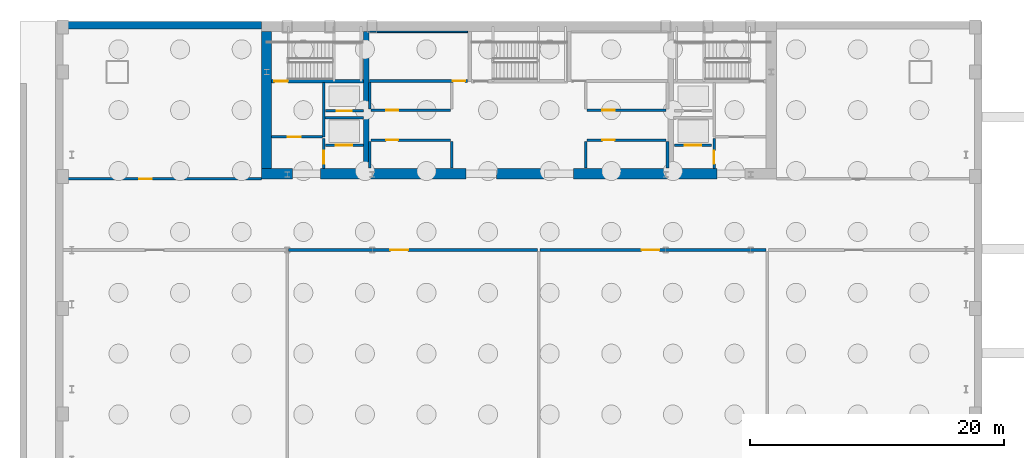
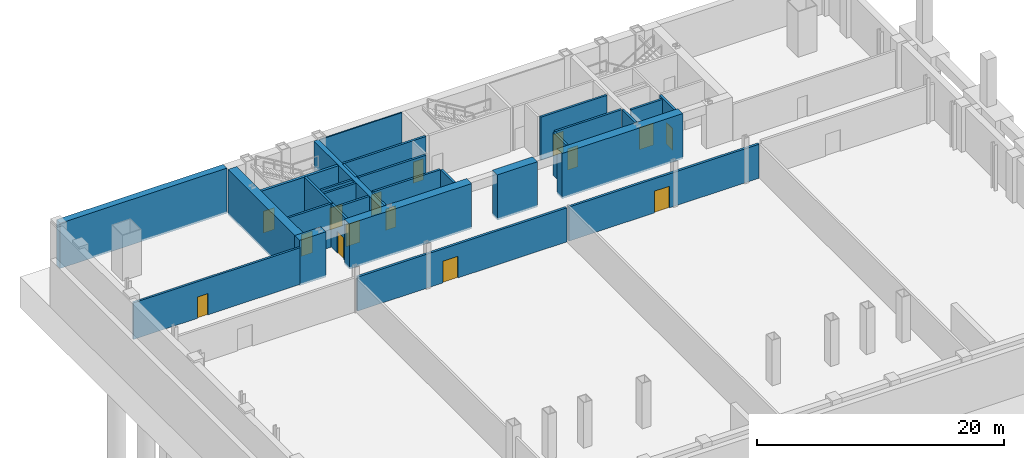
# One storey, part 8 of 11: 30 walls, 15 doors, 15 openings.
"""IFC4 building model written with IfcOpenShell, lengths in metres."""

import ifcopenshell
import ifcopenshell.guid

model = None  # the IFC model being written
_history = None  # IfcOwnerHistory: only IFC2X3 demands one
_inside = {}  # id of a spatial element -> (the spatial element, [elements in it])
_under = {}  # id of a project, library or spatial element -> (it, [spatial elements below it])
_declared = {}  # id of a project -> (the project, [libraries it declares])
_typed = {}  # id of a type object -> (the type object, [elements of that type])
_made_of = {}  # id of a material, layer set ... -> (it, [elements and type objects made of it])


def new_model(schema):
    """Start an empty IFC model of exactly this schema.

    Asked for "IFC4X3", IfcOpenShell would pick the latest addendum, in which some entities
    have other attributes; the version numbers below select the first issue.
    IFC2X3 requires an IfcOwnerHistory on every rooted entity: one is made here for all.
    """
    global model, _history
    if schema == "IFC4X3":
        model = ifcopenshell.file(schema_version=(4, 3, 0, 0))
    else:
        model = ifcopenshell.file(schema=schema)
    _inside.clear()
    _under.clear()
    _declared.clear()
    _typed.clear()
    _made_of.clear()
    _history = None
    if model.schema == "IFC2X3":
        org = make("IfcOrganization", Name="unknown")
        user = make(
            "IfcPersonAndOrganization",
            ThePerson=make("IfcPerson", FamilyName="unknown"),
            TheOrganization=org,
        )
        app = make(
            "IfcApplication",
            ApplicationDeveloper=org,
            Version="unknown",
            ApplicationFullName="unknown",
            ApplicationIdentifier="unknown",
        )
        _history = make(
            "IfcOwnerHistory",
            OwningUser=user,
            OwningApplication=app,
            ChangeAction="ADDED",
            CreationDate=0,
        )
    return model


def make(cls, **values):
    """One entity of the class cls with the attributes given. An attribute that is None is left unset."""
    return model.create_entity(
        cls, **{name: value for name, value in values.items() if value is not None}
    )


def rooted(cls, **values):
    """An entity with a GlobalId (a new one), such as an element, a storey or a relation."""
    return make(cls, GlobalId=ifcopenshell.guid.new(), OwnerHistory=_history, **values)


def si_unit(unit_type, name, prefix=None):
    """IfcSIUnit, for example si_unit("LENGTHUNIT", "METRE", prefix="MILLI")."""
    return make("IfcSIUnit", UnitType=unit_type, Prefix=prefix, Name=name)


def assignment(units):
    """IfcUnitAssignment: the units of a project."""
    return None if units is None else make("IfcUnitAssignment", Units=units)


def point(xyz):
    """IfcCartesianPoint."""
    return None if xyz is None else make("IfcCartesianPoint", Coordinates=xyz)


def direction(xyz):
    """IfcDirection."""
    return None if xyz is None else make("IfcDirection", DirectionRatios=xyz)


def frame(location, z_axis=None, x_axis=None):
    """IfcAxis2Placement3D, a coordinate frame: its origin and axes. An axis left out is left unset."""
    return make(
        "IfcAxis2Placement3D",
        Location=point(location),
        Axis=direction(z_axis),
        RefDirection=direction(x_axis),
    )


def frame_2d(location, x_axis=None):
    """IfcAxis2Placement2D, a coordinate frame in the plane: its origin and x axis."""
    return make(
        "IfcAxis2Placement2D", Location=point(location), RefDirection=direction(x_axis)
    )


def origin():
    """The frame at (0, 0, 0) with its axes left unset."""
    return frame((0.0, 0.0, 0.0))


def place(relative_to, where):
    """IfcLocalPlacement: puts the frame where relative to a parent placement (None: the world)."""
    return make(
        "IfcLocalPlacement", PlacementRelTo=relative_to, RelativePlacement=where
    )


def context(
    kind, dimensions, precision=None, world=None, true_north=None, identifier=None
):
    """IfcGeometricRepresentationContext, for example the 3D "Model" context."""
    return make(
        "IfcGeometricRepresentationContext",
        ContextIdentifier=identifier,
        ContextType=kind,
        CoordinateSpaceDimension=dimensions,
        Precision=precision,
        WorldCoordinateSystem=world,
        TrueNorth=true_north,
    )


def subcontext(parent, identifier, kind, view, scale=None):
    """IfcGeometricRepresentationSubContext, for example "Body" below "Model"."""
    return make(
        "IfcGeometricRepresentationSubContext",
        ContextIdentifier=identifier,
        ContextType=kind,
        ParentContext=parent,
        TargetScale=scale,
        TargetView=view,
    )


def project(units=None, contexts=None):
    """IfcProject with its units and contexts."""
    return rooted(
        "IfcProject",
        Name="project",
        RepresentationContexts=contexts,
        UnitsInContext=assignment(units),
    )


def spatial(cls, under=None, at=None, **own):
    """A site, building, storey or space (cls), placed at a placement, below another one or the project."""
    s = rooted(cls, ObjectPlacement=at, **own)
    if under is not None:
        _under.setdefault(under.id(), (under, []))[1].append(s)
    return s


def profile(cls, at=None, kind="AREA", **sizes):
    """A parametric profile (cls). Its sizes go by their IFC names, for example OverallWidth=200.0."""
    return make(cls, ProfileType=kind, Position=at, **sizes)


def rectangle(**sizes):
    """IfcRectangleProfileDef."""
    return profile("IfcRectangleProfileDef", **sizes)


def extrude(swept, where, along, depth):
    """IfcExtrudedAreaSolid: the profile swept, set in the frame where, extruded along a direction by depth."""
    return make(
        "IfcExtrudedAreaSolid",
        SweptArea=swept,
        Position=where,
        ExtrudedDirection=direction(along),
        Depth=depth,
    )


def shape(context_of_items, identifier, shape_type, items):
    """IfcShapeRepresentation: the items that make up one representation, for example the "Body"."""
    return make(
        "IfcShapeRepresentation",
        ContextOfItems=context_of_items,
        RepresentationIdentifier=identifier,
        RepresentationType=shape_type,
        Items=items,
    )


def material(Name=None, Category=None):
    """IfcMaterial."""
    return make("IfcMaterial", Name=Name, Category=Category)


def layer(
    of_material, thickness, ventilated=None, Name=None, Category=None, Priority=None
):
    """IfcMaterialLayer: one layer of a wall or slab, of a material (None: an air gap)."""
    return make(
        "IfcMaterialLayer",
        Material=of_material,
        LayerThickness=thickness,
        IsVentilated=ventilated,
        Name=Name,
        Category=Category,
        Priority=Priority,
    )


def layer_set(layers, Name=None):
    """IfcMaterialLayerSet."""
    return make("IfcMaterialLayerSet", MaterialLayers=layers, LayerSetName=Name)


def made_of(thing, what):
    """Note that an element or type object is made of a material, layer set ...; save() writes the relation."""
    if what is not None:
        _made_of.setdefault(what.id(), (what, []))[1].append(thing)
    return thing


def type_object(cls, material=None, **own):
    """A type object (cls), such as IfcWallType, which elements share."""
    return made_of(rooted(cls, **own), material)


def element(
    cls,
    number,
    at=None,
    inside=None,
    cuts=None,
    type_object=None,
    material=None,
    context=None,
    identifier="Body",
    shape_type=None,
    held_by="IfcProductDefinitionShape",
    body=None,
    shapes=None,
    **own,
):
    """One element of the class cls, such as IfcWall. Its Tag is "e" and its number.

    at: its placement. inside: the storey or other place that contains it. cuts: it is an
    opening in that element (IfcRelVoidsElement). A single representation is given by context,
    identifier, shape_type and body (its items); several are given by shapes. held_by: the class
    of the entity that holds the representations. save() writes the other relations.
    """
    e = rooted(cls, Tag="e%d" % number, ObjectPlacement=at, **own)
    if body is not None:
        shapes = [shape(context, identifier, shape_type, body)]
    if shapes is not None:
        e.Representation = make(held_by, Representations=shapes)
    if inside is not None:
        _inside.setdefault(inside.id(), (inside, []))[1].append(e)
    if cuts is not None:
        rooted(
            "IfcRelVoidsElement", RelatingBuildingElement=cuts, RelatedOpeningElement=e
        )
    if type_object is not None:
        _typed.setdefault(type_object.id(), (type_object, []))[1].append(e)
    return made_of(e, material)


def fill(opening, filler):
    """IfcRelFillsElement: the door or window that sits in an opening."""
    return rooted(
        "IfcRelFillsElement",
        RelatingOpeningElement=opening,
        RelatedBuildingElement=filler,
    )


def aggregate(whole, parts):
    """IfcRelAggregates: a whole, such as a stair, and the parts it consists of."""
    return rooted("IfcRelAggregates", RelatingObject=whole, RelatedObjects=parts)


def save(model, path):
    """Write the relations noted so far, then the file.

    IfcRelAggregates (storeys below a building ...), IfcRelContainedInSpatialStructure (elements
    in a storey), IfcRelDefinesByType, IfcRelAssociatesMaterial and IfcRelDeclares: one each for
    every whole, place, type object, material and project.
    """
    for whole, parts in _under.values():
        aggregate(whole, parts)
    for where, things in _inside.values():
        rooted(
            "IfcRelContainedInSpatialStructure",
            RelatedElements=things,
            RelatingStructure=where,
        )
    for kind, things in _typed.values():
        rooted("IfcRelDefinesByType", RelatedObjects=things, RelatingType=kind)
    for what, things in _made_of.values():
        rooted("IfcRelAssociatesMaterial", RelatedObjects=things, RelatingMaterial=what)
    for by, libraries in _declared.values():
        rooted("IfcRelDeclares", RelatingContext=by, RelatedDefinitions=libraries)
    model.write(path)


model = new_model("IFC4")

# Units and contexts
model_context = context("Model", 3, precision=1e-05, world=origin(), true_north=direction((0.0, 1.0)))
body_context = subcontext(model_context, "Body", "Model", "MODEL_VIEW")
ifc_project = project(units=[si_unit("LENGTHUNIT", "METRE"), si_unit("AREAUNIT", "SQUARE_METRE"), si_unit("VOLUMEUNIT", "CUBIC_METRE"), si_unit("PLANEANGLEUNIT", "RADIAN"), si_unit("MASSUNIT", "GRAM", prefix="KILO")], contexts=[model_context])

# Site, building, storey
site_placement = place(None, origin())
site = spatial("IfcSite", under=ifc_project, at=site_placement, CompositionType="ELEMENT")
building_placement = place(site_placement, origin())
building = spatial("IfcBuilding", under=site, at=building_placement, Name="Khoronbel Lancet Exchange", CompositionType="ELEMENT")
storey_placement = place(building_placement, frame((0.0, 0.0, -9.0)))
storey = spatial("IfcBuildingStorey", under=building, at=storey_placement, Name="B2", CompositionType="ELEMENT", Elevation=-9.0)

# Walls
ifc_material_1 = material(Name="Concrete C80/95", Category="concrete")
ifc_layer_1 = layer(ifc_material_1, 0.800048828125, Name="Concrete C80/95")
ifc_layer_set_1 = layer_set([ifc_layer_1], Name="Concrete C80/95")
wall_type_1 = type_object("IfcWallType", Name="WL-CW1", PredefinedType="SHEAR", material=ifc_layer_set_1)
wall_1_placement = place(storey_placement, frame((16.60009765625, 42.10009765625, -0.199951171875), z_axis=(0.0, 0.0, 1.0), x_axis=(0.0, 1.0, 0.0)))
element("IfcWall", 1, at=wall_1_placement, inside=storey, type_object=wall_type_1, Name="Level B2 rear core west shear wall", PredefinedType="SHEAR", context=body_context, shape_type="SweptSolid", body=[
    extrude(rectangle(XDim=10.7998046875, YDim=0.800048828125, at=frame_2d((5.39990234375, 0.0))), origin(), (0.0, 0.0, 1.0), 4.47998046875),
])
wall_2_placement = place(storey_placement, frame((18.64990234375, 41.699951171875, -0.199951171875), z_axis=(0.0, 0.0, 1.0), x_axis=(-1.0, 0.0, 0.0)))
element("IfcWall", 2, at=wall_2_placement, inside=storey, type_object=wall_type_1, Name="Level B2 rear core south shear wall pier P1", PredefinedType="SHEAR", context=body_context, shape_type="SweptSolid", body=[
    extrude(rectangle(XDim=2.449951171875, YDim=0.800048828125, at=frame_2d((1.22509765625, 0.0))), origin(), (0.0, 0.0, 1.0), 4.47998046875),
])
wall_3_placement = place(storey_placement, frame((32.300048828125, 41.699951171875, -0.199951171875), z_axis=(0.0, 0.0, 1.0), x_axis=(-1.0, 0.0, 0.0)))
element("IfcWall", 3, at=wall_3_placement, inside=storey, type_object=wall_type_1, Name="Level B2 rear core south shear wall pier P2", PredefinedType="SHEAR", context=body_context, shape_type="SweptSolid", body=[
    extrude(rectangle(XDim=11.449951171875, YDim=0.800048828125, at=frame_2d((5.72509765625, 0.0))), origin(), (0.0, 0.0, 1.0), 4.47998046875),
])
wall_4_placement = place(storey_placement, frame((38.449951171875, 41.699951171875, -0.199951171875), z_axis=(0.0, 0.0, 1.0), x_axis=(-1.0, 0.0, 0.0)))
element("IfcWall", 4, at=wall_4_placement, inside=storey, type_object=wall_type_1, Name="Level B2 rear core south shear wall pier P3", PredefinedType="SHEAR", context=body_context, shape_type="SweptSolid", body=[
    extrude(rectangle(XDim=3.75, YDim=0.800048828125, at=frame_2d((1.875, 0.0))), origin(), (0.0, 0.0, 1.0), 4.47998046875),
])
wall_5_placement = place(storey_placement, frame((52.050048828125, 41.699951171875, -0.199951171875), z_axis=(0.0, 0.0, 1.0), x_axis=(-1.0, 0.0, 0.0)))
element("IfcWall", 5, at=wall_5_placement, inside=storey, type_object=wall_type_1, Name="Level B2 rear core south shear wall pier P4", PredefinedType="SHEAR", context=body_context, shape_type="SweptSolid", body=[
    extrude(rectangle(XDim=11.300048828125, YDim=0.800048828125, at=frame_2d((5.64990234375, 0.0))), origin(), (0.0, 0.0, 1.0), 4.47998046875),
])
ifc_material_2 = material(Name="Fire-Rated Metal-Stud & Mineral-Wool Gypsum Partition 120 mm", Category="gypsum")
ifc_layer_2 = layer(ifc_material_2, 0.1201171875, Name="Fire-Rated Metal-Stud & Mineral-Wool Gypsum Partition 120 mm")
ifc_layer_set_2 = layer_set([ifc_layer_2], Name="Fire-Rated Metal-Stud & Mineral-Wool Gypsum Partition 120 mm")
wall_type_2 = type_object("IfcWallType", Name="WL-PRT120F", PredefinedType="PARTITIONING", material=ifc_layer_set_2)
wall_6_placement = place(storey_placement, frame((24.699951171875, 52.860107421875, 0.0), z_axis=(0.0, 0.0, 1.0), x_axis=(1.0, 0.0, 0.0)))
element("IfcWall", 6, at=wall_6_placement, inside=storey, type_object=wall_type_2, Name="Level B2 interior partition CW-SUP-NW-N", PredefinedType="PARTITIONING", context=body_context, shape_type="SweptSolid", body=[
    extrude(rectangle(XDim=7.719970703125, YDim=0.1201171875, at=frame_2d((3.85986328125, 0.0))), origin(), (0.0, 0.0, 1.0), 4.280029296875),
])

# Wall, opening, door
ifc_material_3 = material(Name="Autoclaved Aerated Concrete Blockwork 200 mm", Category="masonry")
ifc_layer_3 = layer(ifc_material_3, 0.199951171875, Name="Autoclaved Aerated Concrete Blockwork 200 mm")
ifc_layer_set_3 = layer_set([ifc_layer_3], Name="Autoclaved Aerated Concrete Blockwork 200 mm")
wall_type_3 = type_object("IfcWallType", Name="WL-PRT200", PredefinedType="PARTITIONING", material=ifc_layer_set_3)
wall_7_placement = place(storey_placement, frame((51.610107421875, 43.949951171875, 0.0), z_axis=(0.0, 0.0, 1.0), x_axis=(-1.0, 0.0, 0.0)))
wall_7 = element("IfcWall", 7, at=wall_7_placement, inside=storey, type_object=wall_type_3, Name="Level B2 elevator hoistway landing front wall SVLE", PredefinedType="PARTITIONING", context=body_context, shape_type="SweptSolid", body=[
    extrude(rectangle(XDim=2.920166015625, YDim=0.199951171875, at=frame_2d((1.4599609375, 0.0))), origin(), (0.0, 0.0, 1.0), 4.280029296875),
])
opening_1_placement = place(wall_7_placement, frame((0.81005859375, 0.0, 0.0)))
opening_1 = element("IfcOpeningElement", 8, at=opening_1_placement, cuts=wall_7, Name="Opening LD-SVL2", PredefinedType="OPENING", context=body_context, shape_type="SweptSolid", body=[
    extrude(rectangle(XDim=1.300048828125, YDim=2.179931640625, at=frame_2d((0.64990234375, 1.08984375))), frame((0.0, 0.10986328125, 0.0), z_axis=(0.0, -1.0, 0.0), x_axis=(1.0, 0.0, 0.0)), (0.0, 0.0, 1.0), 0.219970703125),
])
ifc_material_4 = material(Name="Heavy-Duty Bi-Parting Goods Lift Landing Door", Category="steel")
door_type_1 = type_object("IfcDoorType", Name="DR-LD-SVL", OperationType="NOTDEFINED", PredefinedType="DOOR", material=ifc_material_4)
door_1_placement = place(opening_1_placement, origin())
door_1 = element("IfcDoor", 9, at=door_1_placement, inside=storey, type_object=door_type_1, Name="Elevator landing sliding door LD-SVL2 B2", OperationType="SLIDING_TO_LEFT", OverallHeight=2.179931640625, OverallWidth=1.300048828125, PredefinedType="DOOR", context=body_context, shape_type="SweptSolid", body=[
    extrude(rectangle(XDim=1.300048828125, YDim=2.179931640625, at=frame_2d((0.64990234375, 1.08984375))), frame((0.0, 0.02490234375, 0.0), z_axis=(0.0, -1.0, 0.0), x_axis=(1.0, 0.0, 0.0)), (0.0, 0.0, 1.0), 0.050048828125),
])
fill(opening_1, door_1)

wall_8_placement = place(storey_placement, frame((24.2099609375, 43.949951171875, 0.0), z_axis=(0.0, 0.0, 1.0), x_axis=(-1.0, 0.0, 0.0)))
wall_8 = element("IfcWall", 10, at=wall_8_placement, inside=storey, type_object=wall_type_3, Name="Level B2 elevator hoistway landing front wall SVLW", PredefinedType="PARTITIONING", context=body_context, shape_type="SweptSolid", body=[
    extrude(rectangle(XDim=2.969970703125, YDim=0.199951171875, at=frame_2d((1.48486328125, 0.0))), origin(), (0.0, 0.0, 1.0), 4.280029296875),
])
opening_2_placement = place(wall_8_placement, frame((0.860107421875, 0.0, 0.0)))
opening_2 = element("IfcOpeningElement", 11, at=opening_2_placement, cuts=wall_8, Name="Opening LD-SVL1", PredefinedType="OPENING", context=body_context, shape_type="SweptSolid", body=[
    extrude(rectangle(XDim=1.300048828125, YDim=2.179931640625, at=frame_2d((0.64990234375, 1.08984375))), frame((0.0, 0.10986328125, 0.0), z_axis=(0.0, -1.0, 0.0), x_axis=(1.0, 0.0, 0.0)), (0.0, 0.0, 1.0), 0.219970703125),
])
door_2_placement = place(opening_2_placement, origin())
door_2 = element("IfcDoor", 12, at=door_2_placement, inside=storey, type_object=door_type_1, Name="Elevator landing sliding door LD-SVL1 B2", OperationType="SLIDING_TO_LEFT", OverallHeight=2.179931640625, OverallWidth=1.300048828125, PredefinedType="DOOR", context=body_context, shape_type="SweptSolid", body=[
    extrude(rectangle(XDim=1.300048828125, YDim=2.179931640625, at=frame_2d((0.64990234375, 1.08984375))), frame((0.0, 0.02490234375, 0.0), z_axis=(0.0, -1.0, 0.0), x_axis=(1.0, 0.0, 0.0)), (0.0, 0.0, 1.0), 0.050048828125),
])
fill(opening_2, door_2)

wall_9_placement = place(storey_placement, frame((24.2099609375, 46.64990234375, 0.0), z_axis=(0.0, 0.0, 1.0), x_axis=(-1.0, 0.0, 0.0)))
wall_9 = element("IfcWall", 13, at=wall_9_placement, inside=storey, type_object=wall_type_3, Name="Level B2 elevator hoistway landing front wall FFLW", PredefinedType="PARTITIONING", context=body_context, shape_type="SweptSolid", body=[
    extrude(rectangle(XDim=2.969970703125, YDim=0.199951171875, at=frame_2d((1.48486328125, 0.0))), origin(), (0.0, 0.0, 1.0), 4.280029296875),
])
opening_3_placement = place(wall_9_placement, frame((0.909912109375, 0.0, 0.0)))
opening_3 = element("IfcOpeningElement", 14, at=opening_3_placement, cuts=wall_9, Name="Opening LD-FFL1", PredefinedType="OPENING", context=body_context, shape_type="SweptSolid", body=[
    extrude(rectangle(XDim=1.199951171875, YDim=2.179931640625, at=frame_2d((0.60009765625, 1.08984375))), frame((0.0, 0.10986328125, 0.0), z_axis=(0.0, -1.0, 0.0), x_axis=(1.0, 0.0, 0.0)), (0.0, 0.0, 1.0), 0.219970703125),
])
ifc_material_5 = material(Name="Fire-Rated Stainless Bi-Parting Firefighting Lift Door", Category="steel")
door_type_2 = type_object("IfcDoorType", Name="DR-LD-FFL", OperationType="NOTDEFINED", PredefinedType="DOOR", material=ifc_material_5)
door_3_placement = place(opening_3_placement, origin())
door_3 = element("IfcDoor", 15, at=door_3_placement, inside=storey, type_object=door_type_2, Name="Elevator landing sliding door LD-FFL1 B2", OperationType="SLIDING_TO_LEFT", OverallHeight=2.179931640625, OverallWidth=1.199951171875, PredefinedType="DOOR", context=body_context, shape_type="SweptSolid", body=[
    extrude(rectangle(XDim=1.199951171875, YDim=2.179931640625, at=frame_2d((0.60009765625, 1.08984375))), frame((0.0, 0.02490234375, 0.0), z_axis=(0.0, -1.0, 0.0), x_axis=(1.0, 0.0, 0.0)), (0.0, 0.0, 1.0), 0.050048828125),
])
fill(opening_3, door_3)

# Wall
wall_10_placement = place(storey_placement, frame((21.10009765625, 44.60009765625, 0.0), z_axis=(0.0, 0.0, 1.0), x_axis=(0.0, 1.0, 0.0)))
element("IfcWall", 16, at=wall_10_placement, inside=storey, type_object=wall_type_3, Name="Level B2 interior partition CW-FFLW-E", PredefinedType="PARTITIONING", context=body_context, shape_type="SweptSolid", body=[
    extrude(rectangle(XDim=4.2998046875, YDim=0.199951171875, at=frame_2d((2.14990234375, 0.0))), origin(), (0.0, 0.0, 1.0), 4.280029296875),
])

# Wall, opening, door
wall_11_placement = place(storey_placement, frame((17.0, 44.60009765625, 0.0), z_axis=(0.0, 0.0, 1.0), x_axis=(1.0, 0.0, 0.0)))
wall_11 = element("IfcWall", 17, at=wall_11_placement, inside=storey, type_object=wall_type_3, Name="Level B2 interior partition CW-FFLW-S", PredefinedType="PARTITIONING", context=body_context, shape_type="SweptSolid", body=[
    extrude(rectangle(XDim=4.0, YDim=0.199951171875, at=frame_2d((2.0, 0.0))), origin(), (0.0, 0.0, 1.0), 4.280029296875),
])
opening_4_placement = place(wall_11_placement, frame((1.25, 0.0, 0.0)))
opening_4 = element("IfcOpeningElement", 18, at=opening_4_placement, cuts=wall_11, Name="Opening FD1", PredefinedType="OPENING", context=body_context, shape_type="SweptSolid", body=[
    extrude(rectangle(XDim=1.050048828125, YDim=2.14990234375, at=frame_2d((0.52490234375, 1.074951171875))), frame((0.0, 0.10986328125, 0.0), z_axis=(0.0, -1.0, 0.0), x_axis=(1.0, 0.0, 0.0)), (0.0, 0.0, 1.0), 0.219970703125),
])
ifc_material_6 = material(Name="Fire-Rated Painted Steel Door Assembly", Category="steel")
door_type_3 = type_object("IfcDoorType", Name="DR-FD1", OperationType="NOTDEFINED", PredefinedType="DOOR", material=ifc_material_6)
door_4_placement = place(opening_4_placement, origin())
door_4 = element("IfcDoor", 19, at=door_4_placement, inside=storey, type_object=door_type_3, Name="West firefighting lobby FD90S door B2-1", OperationType="SINGLE_SWING_LEFT", OverallHeight=2.14990234375, OverallWidth=1.050048828125, PredefinedType="DOOR", context=body_context, shape_type="SweptSolid", body=[
    extrude(rectangle(XDim=1.050048828125, YDim=2.14990234375, at=frame_2d((0.52490234375, 1.074951171875))), frame((0.0, 0.02490234375, 0.0), z_axis=(0.0, -1.0, 0.0), x_axis=(1.0, 0.0, 0.0)), (0.0, 0.0, 1.0), 0.050048828125),
])
fill(opening_4, door_4)

# Wall
wall_12_placement = place(storey_placement, frame((21.199951171875, 46.1201171875, 0.0), z_axis=(0.0, 0.0, 1.0), x_axis=(1.0, 0.0, 0.0)))
element("IfcWall", 20, at=wall_12_placement, inside=storey, type_object=wall_type_3, Name="Level B2 interior partition CW-FFL1-S", PredefinedType="PARTITIONING", context=body_context, shape_type="SweptSolid", body=[
    extrude(rectangle(XDim=3.02001953125, YDim=0.199951171875, at=frame_2d((1.510009765625, 0.0))), origin(), (0.0, 0.0, 1.0), 4.280029296875),
])

# Wall, opening, door
wall_13_placement = place(storey_placement, frame((21.10009765625, 42.10009765625, 0.0), z_axis=(0.0, 0.0, 1.0), x_axis=(0.0, 1.0, 0.0)))
wall_13 = element("IfcWall", 21, at=wall_13_placement, inside=storey, type_object=wall_type_3, Name="Level B2 interior partition CW-SVLW-W", PredefinedType="PARTITIONING", context=body_context, shape_type="SweptSolid", body=[
    extrude(rectangle(XDim=2.39501953125, YDim=0.199951171875, at=frame_2d((1.197509765625, 0.0))), origin(), (0.0, 0.0, 1.0), 4.280029296875),
])
opening_5_placement = place(wall_13_placement, frame((0.3798828125, 0.0, 0.0)))
opening_5 = element("IfcOpeningElement", 22, at=opening_5_placement, cuts=wall_13, Name="Opening FD1", PredefinedType="OPENING", context=body_context, shape_type="SweptSolid", body=[
    extrude(rectangle(XDim=1.050048828125, YDim=2.14990234375, at=frame_2d((0.52490234375, 1.074951171875))), frame((0.0, 0.10986328125, 0.0), z_axis=(0.0, -1.0, 0.0), x_axis=(1.0, 0.0, 0.0)), (0.0, 0.0, 1.0), 0.219970703125),
])
door_5_placement = place(opening_5_placement, origin())
door_5 = element("IfcDoor", 23, at=door_5_placement, inside=storey, type_object=door_type_3, Name="West service lift lobby door B2-1", OperationType="SINGLE_SWING_RIGHT", OverallHeight=2.14990234375, OverallWidth=1.050048828125, PredefinedType="DOOR", context=body_context, shape_type="SweptSolid", body=[
    extrude(rectangle(XDim=1.050048828125, YDim=2.14990234375, at=frame_2d((0.52490234375, 1.074951171875))), frame((0.0, 0.02490234375, 0.0), z_axis=(0.0, -1.0, 0.0), x_axis=(1.0, 0.0, 0.0)), (0.0, 0.0, 1.0), 0.050048828125),
])
fill(opening_5, door_5)

wall_14_placement = place(storey_placement, frame((51.800048828125, 42.10009765625, 0.0), z_axis=(0.0, 0.0, 1.0), x_axis=(0.0, 1.0, 0.0)))
wall_14 = element("IfcWall", 24, at=wall_14_placement, inside=storey, type_object=wall_type_3, Name="Level B2 interior partition CW-SVLE-E", PredefinedType="PARTITIONING", context=body_context, shape_type="SweptSolid", body=[
    extrude(rectangle(XDim=2.39501953125, YDim=0.199951171875, at=frame_2d((1.197509765625, 0.0))), origin(), (0.0, 0.0, 1.0), 4.280029296875),
])
opening_6_placement = place(wall_14_placement, frame((0.3798828125, 0.0, 0.0)))
opening_6 = element("IfcOpeningElement", 25, at=opening_6_placement, cuts=wall_14, Name="Opening FD1", PredefinedType="OPENING", context=body_context, shape_type="SweptSolid", body=[
    extrude(rectangle(XDim=1.050048828125, YDim=2.14990234375, at=frame_2d((0.52490234375, 1.074951171875))), frame((0.0, 0.10986328125, 0.0), z_axis=(0.0, -1.0, 0.0), x_axis=(1.0, 0.0, 0.0)), (0.0, 0.0, 1.0), 0.219970703125),
])
door_6_placement = place(opening_6_placement, origin())
door_6 = element("IfcDoor", 26, at=door_6_placement, inside=storey, type_object=door_type_3, Name="East service lift lobby door B2-1", OperationType="SINGLE_SWING_RIGHT", OverallHeight=2.14990234375, OverallWidth=1.050048828125, PredefinedType="DOOR", context=body_context, shape_type="SweptSolid", body=[
    extrude(rectangle(XDim=1.050048828125, YDim=2.14990234375, at=frame_2d((0.52490234375, 1.074951171875))), frame((0.0, 0.02490234375, 0.0), z_axis=(0.0, -1.0, 0.0), x_axis=(1.0, 0.0, 0.0)), (0.0, 0.0, 1.0), 0.050048828125),
])
fill(opening_6, door_6)

# Wall
wall_15_placement = place(storey_placement, frame((24.699951171875, 46.804931640625, 0.0), z_axis=(0.0, 0.0, 1.0), x_axis=(0.0, 1.0, 0.0)))
element("IfcWall", 27, at=wall_15_placement, inside=storey, type_object=wall_type_3, Name="Level B2 interior partition CW-PL-BSW", PredefinedType="PARTITIONING", context=body_context, shape_type="SweptSolid", body=[
    extrude(rectangle(XDim=2.090087890625, YDim=0.199951171875, at=frame_2d((1.044921875, 0.0))), origin(), (0.0, 0.0, 1.0), 4.280029296875),
])

# Wall, opening, door
wall_16_placement = place(storey_placement, frame((24.804931640625, 46.699951171875, 0.0), z_axis=(0.0, 0.0, 1.0), x_axis=(1.0, 0.0, 0.0)))
wall_16 = element("IfcWall", 28, at=wall_16_placement, inside=storey, type_object=wall_type_3, Name="Level B2 interior partition CW-PL-BSM", PredefinedType="PARTITIONING", context=body_context, shape_type="SweptSolid", body=[
    extrude(rectangle(XDim=6.27001953125, YDim=0.199951171875, at=frame_2d((3.135009765625, 0.0))), origin(), (0.0, 0.0, 1.0), 4.280029296875),
])
opening_7_placement = place(wall_16_placement, frame((1.199951171875, 0.0, 0.0)))
opening_7 = element("IfcOpeningElement", 29, at=opening_7_placement, cuts=wall_16, Name="Opening FD3", PredefinedType="OPENING", context=body_context, shape_type="SweptSolid", body=[
    extrude(rectangle(XDim=0.949951171875, YDim=2.10009765625, at=frame_2d((0.47509765625, 1.050048828125))), frame((0.0, 0.10986328125, 0.0), z_axis=(0.0, -1.0, 0.0), x_axis=(1.0, 0.0, 0.0)), (0.0, 0.0, 1.0), 0.219970703125),
])
ifc_material_7 = material(Name="Fire-Rated Steel Plant & Riser Door Assembly", Category="steel")
door_type_4 = type_object("IfcDoorType", Name="DR-FD3", OperationType="NOTDEFINED", PredefinedType="DOOR", material=ifc_material_7)
door_7_placement = place(opening_7_placement, origin())
door_7 = element("IfcDoor", 30, at=door_7_placement, inside=storey, type_object=door_type_4, Name="Basement PL core plant door B2-1", OperationType="SINGLE_SWING_LEFT", OverallHeight=2.10009765625, OverallWidth=0.949951171875, PredefinedType="DOOR", context=body_context, shape_type="SweptSolid", body=[
    extrude(rectangle(XDim=0.949951171875, YDim=2.10009765625, at=frame_2d((0.47509765625, 1.050048828125))), frame((0.0, 0.02490234375, 0.0), z_axis=(0.0, -1.0, 0.0), x_axis=(1.0, 0.0, 0.0)), (0.0, 0.0, 1.0), 0.050048828125),
])
fill(opening_7, door_7)

# Walls
for number, where, z_axis, x_axis, name in (
    (31, (24.699951171875, 42.14990234375, 0.0), (0.0, 0.0, 1.0), (0.0, 1.0, 0.0), "Level B2 interior partition CW-PM-BSW"),
    (32, (31.179931640625, 42.14990234375, 0.0), (0.0, 0.0, 1.0), (0.0, 1.0, 0.0), "Level B2 interior partition CW-PM-BSE"),
):
    element("IfcWall", number, at=place(storey_placement, frame(where, z_axis=z_axis, x_axis=x_axis)), inside=storey, type_object=wall_type_3, Name=name, PredefinedType="PARTITIONING", context=body_context, shape_type="SweptSolid", body=[
        extrude(rectangle(XDim=2.09521484375, YDim=0.199951171875, at=frame_2d((1.047607421875, 0.0))), origin(), (0.0, 0.0, 1.0), 4.280029296875),
    ])

# Wall, opening, door
wall_17_placement = place(storey_placement, frame((24.804931640625, 44.35009765625, 0.0), z_axis=(0.0, 0.0, 1.0), x_axis=(1.0, 0.0, 0.0)))
wall_17 = element("IfcWall", 33, at=wall_17_placement, inside=storey, type_object=wall_type_3, Name="Level B2 interior partition CW-PM-BSM", PredefinedType="PARTITIONING", context=body_context, shape_type="SweptSolid", body=[
    extrude(rectangle(XDim=6.27001953125, YDim=0.199951171875, at=frame_2d((3.135009765625, 0.0))), origin(), (0.0, 0.0, 1.0), 4.280029296875),
])
opening_8_placement = place(wall_17_placement, frame((1.199951171875, 0.0, 0.0)))
opening_8 = element("IfcOpeningElement", 34, at=opening_8_placement, cuts=wall_17, Name="Opening FD3", PredefinedType="OPENING", context=body_context, shape_type="SweptSolid", body=[
    extrude(rectangle(XDim=0.949951171875, YDim=2.10009765625, at=frame_2d((0.47509765625, 1.050048828125))), frame((0.0, 0.10986328125, 0.0), z_axis=(0.0, -1.0, 0.0), x_axis=(1.0, 0.0, 0.0)), (0.0, 0.0, 1.0), 0.219970703125),
])
door_8_placement = place(opening_8_placement, origin())
door_8 = element("IfcDoor", 35, at=door_8_placement, inside=storey, type_object=door_type_4, Name="Basement PM core plant door B2-1", OperationType="SINGLE_SWING_RIGHT", OverallHeight=2.10009765625, OverallWidth=0.949951171875, PredefinedType="DOOR", context=body_context, shape_type="SweptSolid", body=[
    extrude(rectangle(XDim=0.949951171875, YDim=2.10009765625, at=frame_2d((0.47509765625, 1.050048828125))), frame((0.0, 0.02490234375, 0.0), z_axis=(0.0, -1.0, 0.0), x_axis=(1.0, 0.0, 0.0)), (0.0, 0.0, 1.0), 0.050048828125),
])
fill(opening_8, door_8)

wall_18_placement = place(storey_placement, frame((41.824951171875, 46.699951171875, 0.0), z_axis=(0.0, 0.0, 1.0), x_axis=(1.0, 0.0, 0.0)))
wall_18 = element("IfcWall", 36, at=wall_18_placement, inside=storey, type_object=wall_type_3, Name="Level B2 interior partition CW-PH-BSM", PredefinedType="PARTITIONING", context=body_context, shape_type="SweptSolid", body=[
    extrude(rectangle(XDim=6.2099609375, YDim=0.199951171875, at=frame_2d((3.10498046875, 0.0))), origin(), (0.0, 0.0, 1.0), 4.280029296875),
])
opening_9_placement = place(wall_18_placement, frame((1.199951171875, 0.0, 0.0)))
opening_9 = element("IfcOpeningElement", 37, at=opening_9_placement, cuts=wall_18, Name="Opening FD3", PredefinedType="OPENING", context=body_context, shape_type="SweptSolid", body=[
    extrude(rectangle(XDim=0.949951171875, YDim=2.10009765625, at=frame_2d((0.47509765625, 1.050048828125))), frame((0.0, 0.10986328125, 0.0), z_axis=(0.0, -1.0, 0.0), x_axis=(1.0, 0.0, 0.0)), (0.0, 0.0, 1.0), 0.219970703125),
])
door_9_placement = place(opening_9_placement, origin())
door_9 = element("IfcDoor", 38, at=door_9_placement, inside=storey, type_object=door_type_4, Name="Basement PH core plant door B2-1", OperationType="SINGLE_SWING_LEFT", OverallHeight=2.10009765625, OverallWidth=0.949951171875, PredefinedType="DOOR", context=body_context, shape_type="SweptSolid", body=[
    extrude(rectangle(XDim=0.949951171875, YDim=2.10009765625, at=frame_2d((0.47509765625, 1.050048828125))), frame((0.0, 0.02490234375, 0.0), z_axis=(0.0, -1.0, 0.0), x_axis=(1.0, 0.0, 0.0)), (0.0, 0.0, 1.0), 0.050048828125),
])
fill(opening_9, door_9)

# Walls
for number, where, z_axis, x_axis, name in (
    (39, (41.719970703125, 42.14990234375, 0.0), (0.0, 0.0, 1.0), (0.0, 1.0, 0.0), "Level B2 interior partition CW-PX-BSW"),
    (40, (48.139892578125, 42.14990234375, 0.0), (0.0, 0.0, 1.0), (0.0, 1.0, 0.0), "Level B2 interior partition CW-PX-BSE"),
):
    element("IfcWall", number, at=place(storey_placement, frame(where, z_axis=z_axis, x_axis=x_axis)), inside=storey, type_object=wall_type_3, Name=name, PredefinedType="PARTITIONING", context=body_context, shape_type="SweptSolid", body=[
        extrude(rectangle(XDim=2.09521484375, YDim=0.199951171875, at=frame_2d((1.047607421875, 0.0))), origin(), (0.0, 0.0, 1.0), 4.280029296875),
    ])

# Wall, opening, door
wall_19_placement = place(storey_placement, frame((41.824951171875, 44.35009765625, 0.0), z_axis=(0.0, 0.0, 1.0), x_axis=(1.0, 0.0, 0.0)))
wall_19 = element("IfcWall", 41, at=wall_19_placement, inside=storey, type_object=wall_type_3, Name="Level B2 interior partition CW-PX-BSM", PredefinedType="PARTITIONING", context=body_context, shape_type="SweptSolid", body=[
    extrude(rectangle(XDim=6.2099609375, YDim=0.199951171875, at=frame_2d((3.10498046875, 0.0))), origin(), (0.0, 0.0, 1.0), 4.280029296875),
])
opening_10_placement = place(wall_19_placement, frame((1.199951171875, 0.0, 0.0)))
opening_10 = element("IfcOpeningElement", 42, at=opening_10_placement, cuts=wall_19, Name="Opening FD3", PredefinedType="OPENING", context=body_context, shape_type="SweptSolid", body=[
    extrude(rectangle(XDim=0.949951171875, YDim=2.10009765625, at=frame_2d((0.47509765625, 1.050048828125))), frame((0.0, 0.10986328125, 0.0), z_axis=(0.0, -1.0, 0.0), x_axis=(1.0, 0.0, 0.0)), (0.0, 0.0, 1.0), 0.219970703125),
])
door_10_placement = place(opening_10_placement, origin())
door_10 = element("IfcDoor", 43, at=door_10_placement, inside=storey, type_object=door_type_4, Name="Basement PX core plant door B2-1", OperationType="SINGLE_SWING_RIGHT", OverallHeight=2.10009765625, OverallWidth=0.949951171875, PredefinedType="DOOR", context=body_context, shape_type="SweptSolid", body=[
    extrude(rectangle(XDim=0.949951171875, YDim=2.10009765625, at=frame_2d((0.47509765625, 1.050048828125))), frame((0.0, 0.02490234375, 0.0), z_axis=(0.0, -1.0, 0.0), x_axis=(1.0, 0.0, 0.0)), (0.0, 0.0, 1.0), 0.050048828125),
])
fill(opening_10, door_10)

wall_20_placement = place(storey_placement, frame((24.699951171875, 49.0, 0.0), z_axis=(0.0, 0.0, 1.0), x_axis=(1.0, 0.0, 0.0)))
wall_20 = element("IfcWall", 44, at=wall_20_placement, inside=storey, type_object=wall_type_3, Name="Level B2 interior partition CW-SUP-NW-S", PredefinedType="PARTITIONING", context=body_context, shape_type="SweptSolid", body=[
    extrude(rectangle(XDim=7.719970703125, YDim=0.199951171875, at=frame_2d((3.85986328125, 0.0))), origin(), (0.0, 0.0, 1.0), 4.280029296875),
])
opening_11_placement = place(wall_20_placement, frame((6.56005859375, 0.0, 0.0)))
opening_11 = element("IfcOpeningElement", 45, at=opening_11_placement, cuts=wall_20, Name="Opening FD3", PredefinedType="OPENING", context=body_context, shape_type="SweptSolid", body=[
    extrude(rectangle(XDim=0.949951171875, YDim=2.10009765625, at=frame_2d((0.47509765625, 1.050048828125))), frame((0.0, 0.10986328125, 0.0), z_axis=(0.0, -1.0, 0.0), x_axis=(1.0, 0.0, 0.0)), (0.0, 0.0, 1.0), 0.219970703125),
])
door_11_placement = place(opening_11_placement, origin())
door_11 = element("IfcDoor", 46, at=door_11_placement, inside=storey, type_object=door_type_4, Name="Core NW support room door B2-1", OperationType="SINGLE_SWING_LEFT", OverallHeight=2.10009765625, OverallWidth=0.949951171875, PredefinedType="DOOR", context=body_context, shape_type="SweptSolid", body=[
    extrude(rectangle(XDim=0.949951171875, YDim=2.10009765625, at=frame_2d((0.47509765625, 1.050048828125))), frame((0.0, 0.02490234375, 0.0), z_axis=(0.0, -1.0, 0.0), x_axis=(1.0, 0.0, 0.0)), (0.0, 0.0, 1.0), 0.050048828125),
])
fill(opening_11, door_11)

wall_21_placement = place(storey_placement, frame((0.60009765625, 41.300048828125, 0.0), z_axis=(0.0, 0.0, 1.0), x_axis=(1.0, 0.0, 0.0)))
wall_21 = element("IfcWall", 47, at=wall_21_placement, inside=storey, type_object=wall_type_3, Name="Level B2 interior partition PW-B2-N1", PredefinedType="PARTITIONING", context=body_context, shape_type="SweptSolid", body=[
    extrude(rectangle(XDim=15.599853515625, YDim=0.199951171875, at=frame_2d((7.7998046875, 0.0))), origin(), (0.0, 0.0, 1.0), 3.6201171875),
])
opening_12_placement = place(wall_21_placement, frame((6.0, 0.0, 0.0)))
opening_12 = element("IfcOpeningElement", 48, at=opening_12_placement, cuts=wall_21, Name="Opening FD3", PredefinedType="OPENING", context=body_context, shape_type="SweptSolid", body=[
    extrude(rectangle(XDim=0.949951171875, YDim=2.10009765625, at=frame_2d((0.47509765625, 1.050048828125))), frame((0.0, 0.10986328125, 0.0), z_axis=(0.0, -1.0, 0.0), x_axis=(1.0, 0.0, 0.0)), (0.0, 0.0, 1.0), 0.219970703125),
])
door_12_placement = place(opening_12_placement, origin())
door_12 = element("IfcDoor", 49, at=door_12_placement, inside=storey, type_object=door_type_4, Name="NW storm-attenuation plant door B2-1", OperationType="SINGLE_SWING_LEFT", OverallHeight=2.10009765625, OverallWidth=0.949951171875, PredefinedType="DOOR", context=body_context, shape_type="SweptSolid", body=[
    extrude(rectangle(XDim=0.949951171875, YDim=2.10009765625, at=frame_2d((0.47509765625, 1.050048828125))), frame((0.0, 0.02490234375, 0.0), z_axis=(0.0, -1.0, 0.0), x_axis=(1.0, 0.0, 0.0)), (0.0, 0.0, 1.0), 0.050048828125),
])
fill(opening_12, door_12)

ifc_material_8 = material(Name="Autoclaved Aerated Concrete Blockwork 220 mm", Category="masonry")
ifc_layer_4 = layer(ifc_material_8, 0.219970703125, Name="Autoclaved Aerated Concrete Blockwork 220 mm")
ifc_layer_set_4 = layer_set([ifc_layer_4], Name="Autoclaved Aerated Concrete Blockwork 220 mm")
wall_type_4 = type_object("IfcWallType", Name="WL-PRT220", PredefinedType="PARTITIONING", material=ifc_layer_set_4)
wall_22_placement = place(storey_placement, frame((18.330078125, 35.699951171875, 0.0), z_axis=(0.0, 0.0, 1.0), x_axis=(1.0, 0.0, 0.0)))
wall_22 = element("IfcWall", 50, at=wall_22_placement, inside=storey, type_object=wall_type_4, Name="Level B2 interior partition PW-B2-S2", PredefinedType="PARTITIONING", context=body_context, shape_type="SweptSolid", body=[
    extrude(rectangle(XDim=19.56494140625, YDim=0.219970703125, at=frame_2d((9.782470703125, 0.0))), origin(), (0.0, 0.0, 1.0), 3.3701171875),
])
opening_13_placement = place(wall_22_placement, frame((8.0, 0.0, 0.0)))
opening_13 = element("IfcOpeningElement", 51, at=opening_13_placement, cuts=wall_22, Name="Opening D7", PredefinedType="OPENING", context=body_context, shape_type="SweptSolid", body=[
    extrude(rectangle(XDim=1.39990234375, YDim=2.14990234375, at=frame_2d((0.699951171875, 1.074951171875))), frame((0.0, 0.1201171875, 0.0), z_axis=(0.0, -1.0, 0.0), x_axis=(1.0, 0.0, 0.0)), (0.0, 0.0, 1.0), 0.239990234375),
])
ifc_material_9 = material(Name="Fire-Rated Heavy Plant Double Door Assembly", Category="steel")
door_type_5 = type_object("IfcDoorType", Name="DR-D7", OperationType="NOTDEFINED", PredefinedType="DOOR", material=ifc_material_9)
door_13_placement = place(opening_13_placement, origin())
door_13 = element("IfcDoor", 52, at=door_13_placement, inside=storey, type_object=door_type_5, Name="District chilled-water plant door B2-1", OperationType="DOUBLE_DOOR_SINGLE_SWING", OverallHeight=2.14990234375, OverallWidth=1.39990234375, PredefinedType="DOOR", context=body_context, shape_type="SweptSolid", body=[
    extrude(rectangle(XDim=1.39990234375, YDim=2.14990234375, at=frame_2d((0.699951171875, 1.074951171875))), frame((0.0, 0.02490234375, 0.0), z_axis=(0.0, -1.0, 0.0), x_axis=(1.0, 0.0, 0.0)), (0.0, 0.0, 1.0), 0.050048828125),
])
fill(opening_13, door_13)

wall_23_placement = place(storey_placement, frame((38.10498046875, 35.699951171875, 0.0), z_axis=(0.0, 0.0, 1.0), x_axis=(1.0, 0.0, 0.0)))
wall_23 = element("IfcWall", 53, at=wall_23_placement, inside=storey, type_object=wall_type_4, Name="Level B2 interior partition PW-B2-S3", PredefinedType="PARTITIONING", context=body_context, shape_type="SweptSolid", body=[
    extrude(rectangle(XDim=17.7900390625, YDim=0.219970703125, at=frame_2d((8.89501953125, 0.0))), origin(), (0.0, 0.0, 1.0), 3.3701171875),
])
opening_14_placement = place(wall_23_placement, frame((8.0, 0.0, 0.0)))
opening_14 = element("IfcOpeningElement", 54, at=opening_14_placement, cuts=wall_23, Name="Opening D7", PredefinedType="OPENING", context=body_context, shape_type="SweptSolid", body=[
    extrude(rectangle(XDim=1.39990234375, YDim=2.14990234375, at=frame_2d((0.699951171875, 1.074951171875))), frame((0.0, 0.1201171875, 0.0), z_axis=(0.0, -1.0, 0.0), x_axis=(1.0, 0.0, 0.0)), (0.0, 0.0, 1.0), 0.239990234375),
])
door_14_placement = place(opening_14_placement, origin())
door_14 = element("IfcDoor", 55, at=door_14_placement, inside=storey, type_object=door_type_5, Name="HV transformer & generator plant door B2-1", OperationType="DOUBLE_DOOR_SINGLE_SWING", OverallHeight=2.14990234375, OverallWidth=1.39990234375, PredefinedType="DOOR", context=body_context, shape_type="SweptSolid", body=[
    extrude(rectangle(XDim=1.39990234375, YDim=2.14990234375, at=frame_2d((0.699951171875, 1.074951171875))), frame((0.0, 0.02490234375, 0.0), z_axis=(0.0, -1.0, 0.0), x_axis=(1.0, 0.0, 0.0)), (0.0, 0.0, 1.0), 0.050048828125),
])
fill(opening_14, door_14)

# Walls
ifc_material_10 = material(Name="Concrete C60/75", Category="concrete")
ifc_layer_5 = layer(ifc_material_10, 0.60009765625, Name="Concrete C60/75")
ifc_layer_set_5 = layer_set([ifc_layer_5], Name="Concrete C60/75")
wall_type_5 = type_object("IfcWallType", Name="WL-RET600", PredefinedType="SOLIDWALL", material=ifc_layer_set_5)
wall_24_placement = place(storey_placement, frame((0.60009765625, 53.39990234375, -0.199951171875), z_axis=(0.0, 0.0, 1.0), x_axis=(1.0, 0.0, 0.0)))
element("IfcWall", 56, at=wall_24_placement, inside=storey, type_object=wall_type_5, Name="Basement B2 reinforced concrete retaining wall NW", PredefinedType="SOLIDWALL", context=body_context, shape_type="SweptSolid", body=[
    extrude(rectangle(XDim=15.599853515625, YDim=0.60009765625, at=frame_2d((7.7998046875, 0.0))), origin(), (0.0, 0.0, 1.0), 4.47998046875),
])
ifc_layer_6 = layer(ifc_material_1, 0.449951171875, Name="Concrete C80/95")
ifc_layer_set_6 = layer_set([ifc_layer_6], Name="Concrete C80/95")
wall_type_6 = type_object("IfcWallType", Name="WL-SW1", PredefinedType="SHEAR", material=ifc_layer_set_6)
wall_25_placement = place(storey_placement, frame((24.449951171875, 42.10009765625, -0.199951171875), z_axis=(0.0, 0.0, 1.0), x_axis=(0.0, 1.0, 0.0)))
element("IfcWall", 57, at=wall_25_placement, inside=storey, type_object=wall_type_6, Name="Level B2 rear core internal spine shear wall IW", PredefinedType="SHEAR", context=body_context, shape_type="SweptSolid", body=[
    extrude(rectangle(XDim=10.7998046875, YDim=0.449951171875, at=frame_2d((5.39990234375, 0.0))), origin(), (0.0, 0.0, 1.0), 4.47998046875),
])

# Wall, opening, door
ifc_layer_7 = layer(ifc_material_10, 0.260009765625, Name="Concrete C60/75")
ifc_layer_set_7 = layer_set([ifc_layer_7], Name="Concrete C60/75")
wall_type_7 = type_object("IfcWallType", Name="WL-SW3", PredefinedType="SHEAR", material=ifc_layer_set_7)
wall_26_placement = place(storey_placement, frame((17.0, 48.97998046875, 0.0), z_axis=(0.0, 0.0, 1.0), x_axis=(1.0, 0.0, 0.0)))
wall_26 = element("IfcWall", 58, at=wall_26_placement, inside=storey, type_object=wall_type_7, Name="Level B2 west stairwell structural south wall", PredefinedType="SHEAR", context=body_context, shape_type="SweptSolid", body=[
    extrude(rectangle(XDim=7.219970703125, YDim=0.239990234375, at=frame_2d((3.60986328125, 0.0))), origin(), (0.0, 0.0, 1.0), 4.280029296875),
])
opening_15_placement = place(wall_26_placement, frame((0.219970703125, 0.0, 0.0)))
opening_15 = element("IfcOpeningElement", 59, at=opening_15_placement, cuts=wall_26, Name="Opening SD1", PredefinedType="OPENING", context=body_context, shape_type="SweptSolid", body=[
    extrude(rectangle(XDim=1.050048828125, YDim=2.14990234375, at=frame_2d((0.52490234375, 1.074951171875))), frame((0.0, 0.1298828125, 0.0), z_axis=(0.0, -1.0, 0.0), x_axis=(1.0, 0.0, 0.0)), (0.0, 0.0, 1.0), 0.260009765625),
])
ifc_material_11 = material(Name="Fire-Rated Steel Stairwell Door Assembly", Category="steel")
door_type_6 = type_object("IfcDoorType", Name="DR-SD1", OperationType="NOTDEFINED", PredefinedType="DOOR", material=ifc_material_11)
door_15_placement = place(opening_15_placement, origin())
door_15 = element("IfcDoor", 60, at=door_15_placement, inside=storey, type_object=door_type_6, Name="Protected exit stair ST1 door B2", OperationType="SINGLE_SWING_LEFT", OverallHeight=2.14990234375, OverallWidth=1.050048828125, PredefinedType="DOOR", context=body_context, shape_type="SweptSolid", body=[
    extrude(rectangle(XDim=1.050048828125, YDim=2.14990234375, at=frame_2d((0.52490234375, 1.074951171875))), frame((0.0, 0.02490234375, 0.0), z_axis=(0.0, -1.0, 0.0), x_axis=(1.0, 0.0, 0.0)), (0.0, 0.0, 1.0), 0.050048828125),
])
fill(opening_15, door_15)

save(model, "model.ifc")
